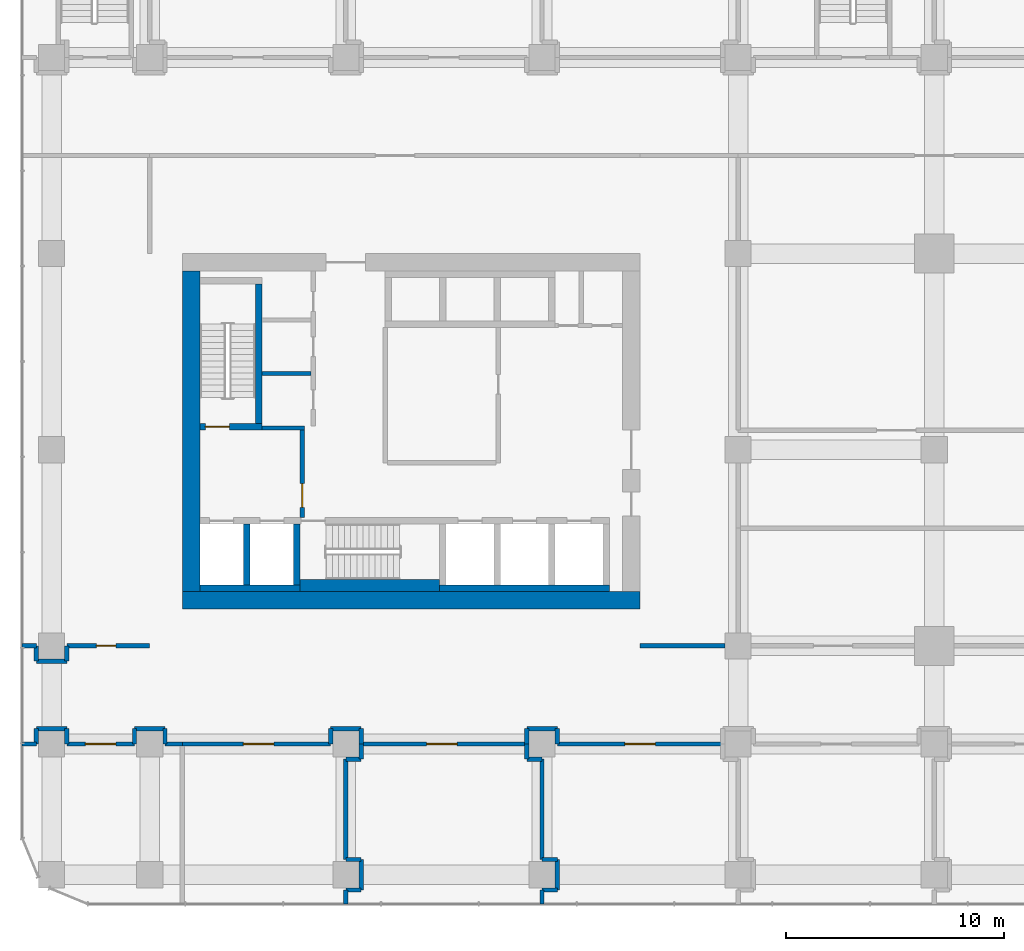
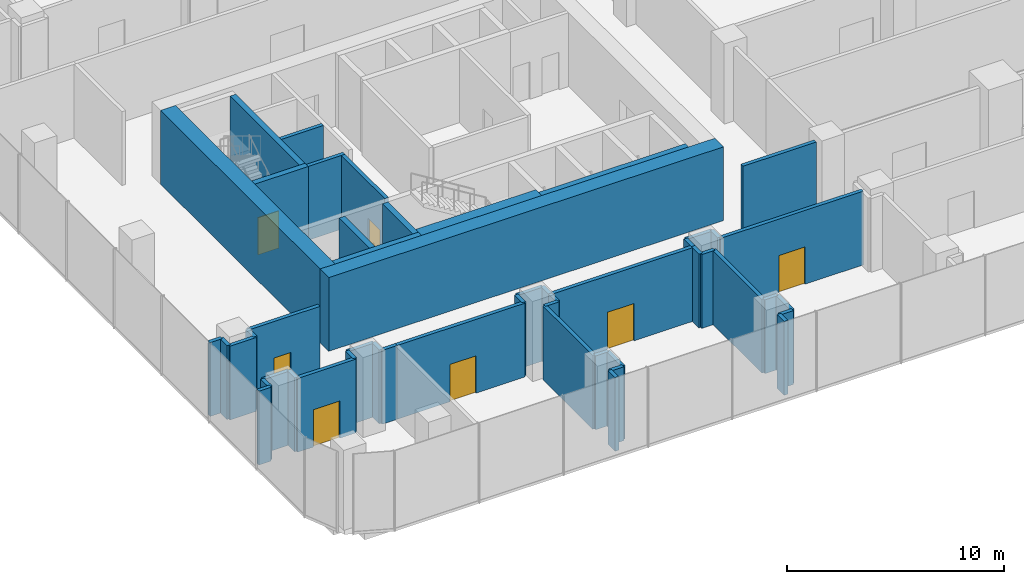
# One storey, part 28 of 43: 50 walls, 7 doors, 7 openings.
"""IFC4 building model written with IfcOpenShell, lengths in metres."""

import ifcopenshell
import ifcopenshell.guid

model = None  # the IFC model being written
_history = None  # IfcOwnerHistory: only IFC2X3 demands one
_inside = {}  # id of a spatial element -> (the spatial element, [elements in it])
_under = {}  # id of a project, library or spatial element -> (it, [spatial elements below it])
_declared = {}  # id of a project -> (the project, [libraries it declares])
_typed = {}  # id of a type object -> (the type object, [elements of that type])
_made_of = {}  # id of a material, layer set ... -> (it, [elements and type objects made of it])


def new_model(schema):
    """Start an empty IFC model of exactly this schema.

    Asked for "IFC4X3", IfcOpenShell would pick the latest addendum, in which some entities
    have other attributes; the version numbers below select the first issue.
    IFC2X3 requires an IfcOwnerHistory on every rooted entity: one is made here for all.
    """
    global model, _history
    if schema == "IFC4X3":
        model = ifcopenshell.file(schema_version=(4, 3, 0, 0))
    else:
        model = ifcopenshell.file(schema=schema)
    _inside.clear()
    _under.clear()
    _declared.clear()
    _typed.clear()
    _made_of.clear()
    _history = None
    if model.schema == "IFC2X3":
        org = make("IfcOrganization", Name="unknown")
        user = make(
            "IfcPersonAndOrganization",
            ThePerson=make("IfcPerson", FamilyName="unknown"),
            TheOrganization=org,
        )
        app = make(
            "IfcApplication",
            ApplicationDeveloper=org,
            Version="unknown",
            ApplicationFullName="unknown",
            ApplicationIdentifier="unknown",
        )
        _history = make(
            "IfcOwnerHistory",
            OwningUser=user,
            OwningApplication=app,
            ChangeAction="ADDED",
            CreationDate=0,
        )
    return model


def make(cls, **values):
    """One entity of the class cls with the attributes given. An attribute that is None is left unset."""
    return model.create_entity(
        cls, **{name: value for name, value in values.items() if value is not None}
    )


def rooted(cls, **values):
    """An entity with a GlobalId (a new one), such as an element, a storey or a relation."""
    return make(cls, GlobalId=ifcopenshell.guid.new(), OwnerHistory=_history, **values)


def si_unit(unit_type, name, prefix=None):
    """IfcSIUnit, for example si_unit("LENGTHUNIT", "METRE", prefix="MILLI")."""
    return make("IfcSIUnit", UnitType=unit_type, Prefix=prefix, Name=name)


def assignment(units):
    """IfcUnitAssignment: the units of a project."""
    return None if units is None else make("IfcUnitAssignment", Units=units)


def point(xyz):
    """IfcCartesianPoint."""
    return None if xyz is None else make("IfcCartesianPoint", Coordinates=xyz)


def direction(xyz):
    """IfcDirection."""
    return None if xyz is None else make("IfcDirection", DirectionRatios=xyz)


def frame(location, z_axis=None, x_axis=None):
    """IfcAxis2Placement3D, a coordinate frame: its origin and axes. An axis left out is left unset."""
    return make(
        "IfcAxis2Placement3D",
        Location=point(location),
        Axis=direction(z_axis),
        RefDirection=direction(x_axis),
    )


def frame_2d(location, x_axis=None):
    """IfcAxis2Placement2D, a coordinate frame in the plane: its origin and x axis."""
    return make(
        "IfcAxis2Placement2D", Location=point(location), RefDirection=direction(x_axis)
    )


def origin():
    """The frame at (0, 0, 0) with its axes left unset."""
    return frame((0.0, 0.0, 0.0))


def place(relative_to, where):
    """IfcLocalPlacement: puts the frame where relative to a parent placement (None: the world)."""
    return make(
        "IfcLocalPlacement", PlacementRelTo=relative_to, RelativePlacement=where
    )


def context(
    kind, dimensions, precision=None, world=None, true_north=None, identifier=None
):
    """IfcGeometricRepresentationContext, for example the 3D "Model" context."""
    return make(
        "IfcGeometricRepresentationContext",
        ContextIdentifier=identifier,
        ContextType=kind,
        CoordinateSpaceDimension=dimensions,
        Precision=precision,
        WorldCoordinateSystem=world,
        TrueNorth=true_north,
    )


def subcontext(parent, identifier, kind, view, scale=None):
    """IfcGeometricRepresentationSubContext, for example "Body" below "Model"."""
    return make(
        "IfcGeometricRepresentationSubContext",
        ContextIdentifier=identifier,
        ContextType=kind,
        ParentContext=parent,
        TargetScale=scale,
        TargetView=view,
    )


def project(units=None, contexts=None):
    """IfcProject with its units and contexts."""
    return rooted(
        "IfcProject",
        Name="project",
        RepresentationContexts=contexts,
        UnitsInContext=assignment(units),
    )


def spatial(cls, under=None, at=None, **own):
    """A site, building, storey or space (cls), placed at a placement, below another one or the project."""
    s = rooted(cls, ObjectPlacement=at, **own)
    if under is not None:
        _under.setdefault(under.id(), (under, []))[1].append(s)
    return s


def profile(cls, at=None, kind="AREA", **sizes):
    """A parametric profile (cls). Its sizes go by their IFC names, for example OverallWidth=200.0."""
    return make(cls, ProfileType=kind, Position=at, **sizes)


def rectangle(**sizes):
    """IfcRectangleProfileDef."""
    return profile("IfcRectangleProfileDef", **sizes)


def extrude(swept, where, along, depth):
    """IfcExtrudedAreaSolid: the profile swept, set in the frame where, extruded along a direction by depth."""
    return make(
        "IfcExtrudedAreaSolid",
        SweptArea=swept,
        Position=where,
        ExtrudedDirection=direction(along),
        Depth=depth,
    )


def shape(context_of_items, identifier, shape_type, items):
    """IfcShapeRepresentation: the items that make up one representation, for example the "Body"."""
    return make(
        "IfcShapeRepresentation",
        ContextOfItems=context_of_items,
        RepresentationIdentifier=identifier,
        RepresentationType=shape_type,
        Items=items,
    )


def material(Name=None, Category=None):
    """IfcMaterial."""
    return make("IfcMaterial", Name=Name, Category=Category)


def layer(
    of_material, thickness, ventilated=None, Name=None, Category=None, Priority=None
):
    """IfcMaterialLayer: one layer of a wall or slab, of a material (None: an air gap)."""
    return make(
        "IfcMaterialLayer",
        Material=of_material,
        LayerThickness=thickness,
        IsVentilated=ventilated,
        Name=Name,
        Category=Category,
        Priority=Priority,
    )


def layer_set(layers, Name=None):
    """IfcMaterialLayerSet."""
    return make("IfcMaterialLayerSet", MaterialLayers=layers, LayerSetName=Name)


def made_of(thing, what):
    """Note that an element or type object is made of a material, layer set ...; save() writes the relation."""
    if what is not None:
        _made_of.setdefault(what.id(), (what, []))[1].append(thing)
    return thing


def type_object(cls, material=None, **own):
    """A type object (cls), such as IfcWallType, which elements share."""
    return made_of(rooted(cls, **own), material)


def element(
    cls,
    number,
    at=None,
    inside=None,
    cuts=None,
    type_object=None,
    material=None,
    context=None,
    identifier="Body",
    shape_type=None,
    held_by="IfcProductDefinitionShape",
    body=None,
    shapes=None,
    **own,
):
    """One element of the class cls, such as IfcWall. Its Tag is "e" and its number.

    at: its placement. inside: the storey or other place that contains it. cuts: it is an
    opening in that element (IfcRelVoidsElement). A single representation is given by context,
    identifier, shape_type and body (its items); several are given by shapes. held_by: the class
    of the entity that holds the representations. save() writes the other relations.
    """
    e = rooted(cls, Tag="e%d" % number, ObjectPlacement=at, **own)
    if body is not None:
        shapes = [shape(context, identifier, shape_type, body)]
    if shapes is not None:
        e.Representation = make(held_by, Representations=shapes)
    if inside is not None:
        _inside.setdefault(inside.id(), (inside, []))[1].append(e)
    if cuts is not None:
        rooted(
            "IfcRelVoidsElement", RelatingBuildingElement=cuts, RelatedOpeningElement=e
        )
    if type_object is not None:
        _typed.setdefault(type_object.id(), (type_object, []))[1].append(e)
    return made_of(e, material)


def fill(opening, filler):
    """IfcRelFillsElement: the door or window that sits in an opening."""
    return rooted(
        "IfcRelFillsElement",
        RelatingOpeningElement=opening,
        RelatedBuildingElement=filler,
    )


def aggregate(whole, parts):
    """IfcRelAggregates: a whole, such as a stair, and the parts it consists of."""
    return rooted("IfcRelAggregates", RelatingObject=whole, RelatedObjects=parts)


def save(model, path):
    """Write the relations noted so far, then the file.

    IfcRelAggregates (storeys below a building ...), IfcRelContainedInSpatialStructure (elements
    in a storey), IfcRelDefinesByType, IfcRelAssociatesMaterial and IfcRelDeclares: one each for
    every whole, place, type object, material and project.
    """
    for whole, parts in _under.values():
        aggregate(whole, parts)
    for where, things in _inside.values():
        rooted(
            "IfcRelContainedInSpatialStructure",
            RelatedElements=things,
            RelatingStructure=where,
        )
    for kind, things in _typed.values():
        rooted("IfcRelDefinesByType", RelatedObjects=things, RelatingType=kind)
    for what, things in _made_of.values():
        rooted("IfcRelAssociatesMaterial", RelatedObjects=things, RelatingMaterial=what)
    for by, libraries in _declared.values():
        rooted("IfcRelDeclares", RelatingContext=by, RelatedDefinitions=libraries)
    model.write(path)


model = new_model("IFC4")

# Units and contexts
model_context = context("Model", 3, precision=1e-05, world=origin(), true_north=direction((0.0, 1.0)))
body_context = subcontext(model_context, "Body", "Model", "MODEL_VIEW")
ifc_project = project(units=[si_unit("LENGTHUNIT", "METRE"), si_unit("AREAUNIT", "SQUARE_METRE"), si_unit("VOLUMEUNIT", "CUBIC_METRE"), si_unit("PLANEANGLEUNIT", "RADIAN"), si_unit("MASSUNIT", "GRAM", prefix="KILO")], contexts=[model_context])

# Site, building, storey
site_placement = place(None, origin())
site = spatial("IfcSite", under=ifc_project, at=site_placement, CompositionType="ELEMENT")
building_placement = place(site_placement, origin())
building = spatial("IfcBuilding", under=site, at=building_placement, Name="Plateau Cross Towers", CompositionType="ELEMENT")
storey_placement = place(building_placement, frame((0.0, 0.0, 17.300048828125)))
storey = spatial("IfcBuildingStorey", under=building, at=storey_placement, Name="L03", CompositionType="ELEMENT", Elevation=17.300048828125)

# Wall, opening, door
ifc_material_1 = material(Name="Concrete block, plastered both sides", Category="concrete")
ifc_layer_1 = layer(ifc_material_1, 0.199951171875)
ifc_layer_set_1 = layer_set([ifc_layer_1], Name="Concrete block, plastered both sides")
wall_type_1 = type_object("IfcWallType", Name="Core partition 200", PredefinedType="PARTITIONING", material=ifc_layer_set_1)
wall_1_placement = place(storey_placement, frame((7.0, 5.89990234375, 0.0), z_axis=(0.0, 0.0, 1.0), x_axis=(0.0, 1.0, 0.0)))
wall_1 = element("IfcWall", 1, at=wall_1_placement, inside=storey, type_object=wall_type_1, Name="Core partition", PredefinedType="PARTITIONING", context=body_context, shape_type="SweptSolid", body=[
    extrude(rectangle(XDim=4.0, YDim=0.199951171875, at=frame_2d((2.0, 0.0))), origin(), (0.0, 0.0, 1.0), 4.14990234375),
])
opening_1_placement = place(wall_1_placement, frame((0.449951171875, 0.0, 0.0)))
opening_1 = element("IfcOpeningElement", 2, at=opening_1_placement, cuts=wall_1, Name="Opening FFD", PredefinedType="OPENING", context=body_context, shape_type="SweptSolid", body=[
    extrude(rectangle(XDim=1.10009765625, YDim=2.10009765625, at=frame_2d((0.550048828125, 1.050048828125))), frame((0.0, 0.10986328125, 0.0), z_axis=(0.0, -1.0, 0.0), x_axis=(1.0, 0.0, 0.0)), (0.0, 0.0, 1.0), 0.219970703125),
])
ifc_material_2 = material(Name="Steel, fire-resisting leaf", Category="steel")
door_type_1 = type_object("IfcDoorType", Name="Firefighting lobby door 1100", OperationType="NOTDEFINED", PredefinedType="DOOR", material=ifc_material_2)
door_1_placement = place(opening_1_placement, origin())
door_1 = element("IfcDoor", 3, at=door_1_placement, inside=storey, type_object=door_type_1, Name="Firefighting lobby door FFD", OperationType="SINGLE_SWING_LEFT", OverallHeight=2.10009765625, OverallWidth=1.10009765625, PredefinedType="DOOR", context=body_context, shape_type="SweptSolid", body=[
    extrude(rectangle(XDim=1.10009765625, YDim=2.10009765625, at=frame_2d((0.550048828125, 1.050048828125))), frame((0.0, 0.02490234375, 0.0), z_axis=(0.0, -1.0, 0.0), x_axis=(1.0, 0.0, 0.0)), (0.0, 0.0, 1.0), 0.050048828125),
])
fill(opening_1, door_1)

# Walls
wall_2_placement = place(storey_placement, frame((5.14990234375, 10.0, 0.0), z_axis=(0.0, 0.0, 1.0), x_axis=(1.0, 0.0, 0.0)))
element("IfcWall", 4, at=wall_2_placement, inside=storey, type_object=wall_type_1, Name="Core partition", PredefinedType="PARTITIONING", context=body_context, shape_type="SweptSolid", body=[
    extrude(rectangle(XDim=1.9501953125, YDim=0.199951171875, at=frame_2d((0.97509765625, 0.0))), origin(), (0.0, 0.0, 1.0), 4.14990234375),
])
wall_3_placement = place(storey_placement, frame((5.14990234375, 12.5, 0.0), z_axis=(0.0, 0.0, 1.0), x_axis=(1.0, 0.0, 0.0)))
element("IfcWall", 5, at=wall_3_placement, inside=storey, type_object=wall_type_1, Name="Core partition", PredefinedType="PARTITIONING", context=body_context, shape_type="SweptSolid", body=[
    extrude(rectangle(XDim=2.25, YDim=0.199951171875, at=frame_2d((1.125, 0.0))), origin(), (0.0, 0.0, 1.0), 4.14990234375),
])
ifc_material_3 = material(Name="Concrete C60/75", Category="concrete")
ifc_layer_2 = layer(ifc_material_3, 0.300048828125)
ifc_layer_set_2 = layer_set([ifc_layer_2], Name="Concrete C60/75")
wall_type_2 = type_object("IfcWallType", Name="Core shaft wall 300", PredefinedType="SHEAR", material=ifc_layer_set_2)
wall_4_placement = place(storey_placement, frame((2.300048828125, 2.64990234375, 0.0), z_axis=(0.0, 0.0, 1.0), x_axis=(1.0, 0.0, 0.0)))
element("IfcWall", 6, at=wall_4_placement, inside=storey, type_object=wall_type_2, Name="A-sb-back1@L03", PredefinedType="SHEAR", context=body_context, shape_type="SweptSolid", body=[
    extrude(rectangle(XDim=4.599853515625, YDim=0.300048828125, at=frame_2d((2.2998046875, 0.0))), origin(), (0.0, 0.0, 1.0), 4.14990234375),
])
wall_5_placement = place(storey_placement, frame((13.300048828125, 2.64990234375, 0.0), z_axis=(0.0, 0.0, 1.0), x_axis=(1.0, 0.0, 0.0)))
element("IfcWall", 7, at=wall_5_placement, inside=storey, type_object=wall_type_2, Name="A-sb-back3@L03", PredefinedType="SHEAR", context=body_context, shape_type="SweptSolid", body=[
    extrude(rectangle(XDim=7.800048828125, YDim=0.300048828125, at=frame_2d((3.89990234375, 0.0))), origin(), (0.0, 0.0, 1.0), 4.14990234375),
])
for number, where, z_axis, x_axis, name in (
    (8, (4.449951171875, 2.800048828125, 0.0), (0.0, 0.0, 1.0), (0.0, 1.0, 0.0), "A-sb-v1@L03"),
    (9, (6.75, 2.800048828125, 0.0), (0.0, 0.0, 1.0), (0.0, 1.0, 0.0), "A-sb-v2@L03"),
):
    element("IfcWall", number, at=place(storey_placement, frame(where, z_axis=z_axis, x_axis=x_axis)), inside=storey, type_object=wall_type_2, Name=name, PredefinedType="SHEAR", context=body_context, shape_type="SweptSolid", body=[
        extrude(rectangle(XDim=2.800048828125, YDim=0.300048828125, at=frame_2d((1.39990234375, 0.0))), origin(), (0.0, 0.0, 1.0), 4.14990234375),
    ])

# Wall, opening, door
wall_6_placement = place(storey_placement, frame((2.300048828125, 10.050048828125, 0.0), z_axis=(0.0, 0.0, 1.0), x_axis=(1.0, 0.0, 0.0)))
wall_6 = element("IfcWall", 10, at=wall_6_placement, inside=storey, type_object=wall_type_2, Name="A-st1-S@L03", PredefinedType="SHEAR", context=body_context, shape_type="SweptSolid", body=[
    extrude(rectangle(XDim=2.849853515625, YDim=0.300048828125, at=frame_2d((1.4248046875, 0.0))), origin(), (0.0, 0.0, 1.0), 4.14990234375),
])
opening_2_placement = place(wall_6_placement, frame((0.25, 0.0, 0.0)))
opening_2 = element("IfcOpeningElement", 11, at=opening_2_placement, cuts=wall_6, Name="Opening SD", PredefinedType="OPENING", context=body_context, shape_type="SweptSolid", body=[
    extrude(rectangle(XDim=1.10009765625, YDim=2.10009765625, at=frame_2d((0.550048828125, 1.050048828125))), frame((0.0, 0.159912109375, 0.0), z_axis=(0.0, -1.0, 0.0), x_axis=(1.0, 0.0, 0.0)), (0.0, 0.0, 1.0), 0.320068359375),
])
door_type_2 = type_object("IfcDoorType", Name="Stair door 1100", OperationType="NOTDEFINED", PredefinedType="DOOR", material=ifc_material_2)
door_2_placement = place(opening_2_placement, origin())
door_2 = element("IfcDoor", 12, at=door_2_placement, inside=storey, type_object=door_type_2, Name="Stair door SD", OperationType="SINGLE_SWING_RIGHT", OverallHeight=2.10009765625, OverallWidth=1.10009765625, PredefinedType="DOOR", context=body_context, shape_type="SweptSolid", body=[
    extrude(rectangle(XDim=1.10009765625, YDim=2.10009765625, at=frame_2d((0.550048828125, 1.050048828125))), frame((0.0, 0.02490234375, 0.0), z_axis=(0.0, -1.0, 0.0), x_axis=(1.0, 0.0, 0.0)), (0.0, 0.0, 1.0), 0.050048828125),
])
fill(opening_2, door_2)

# Walls
wall_7_placement = place(storey_placement, frame((5.0, 10.199951171875, 0.0), z_axis=(0.0, 0.0, 1.0), x_axis=(0.0, 1.0, 0.0)))
element("IfcWall", 13, at=wall_7_placement, inside=storey, type_object=wall_type_2, Name="A-st1-E@L03", PredefinedType="SHEAR", context=body_context, shape_type="SweptSolid", body=[
    extrude(rectangle(XDim=6.400146484375, YDim=0.300048828125, at=frame_2d((3.2001953125, 0.0))), origin(), (0.0, 0.0, 1.0), 4.14990234375),
])
ifc_layer_3 = layer(ifc_material_3, 0.550048828125)
ifc_layer_set_3 = layer_set([ifc_layer_3], Name="Concrete C60/75")
wall_type_3 = type_object("IfcWallType", Name="Core shaft wall 550", PredefinedType="SHEAR", material=ifc_layer_set_3)
wall_8_placement = place(storey_placement, frame((6.89990234375, 2.77490234375, 0.0), z_axis=(0.0, 0.0, 1.0), x_axis=(1.0, 0.0, 0.0)))
element("IfcWall", 14, at=wall_8_placement, inside=storey, type_object=wall_type_3, Name="A-sb-back2@L03", PredefinedType="SHEAR", context=body_context, shape_type="SweptSolid", body=[
    extrude(rectangle(XDim=6.400146484375, YDim=0.550048828125, at=frame_2d((3.2001953125, 0.0))), origin(), (0.0, 0.0, 1.0), 4.14990234375),
])
ifc_layer_4 = layer(ifc_material_3, 0.800048828125)
ifc_layer_set_4 = layer_set([ifc_layer_4], Name="Concrete C60/75")
wall_type_4 = type_object("IfcWallType", Name="Core shell wall 800", PredefinedType="SHEAR", material=ifc_layer_set_4)
wall_9_placement = place(storey_placement, frame((1.5, 2.10009765625, 0.0), z_axis=(0.0, 0.0, 1.0), x_axis=(1.0, 0.0, 0.0)))
element("IfcWall", 15, at=wall_9_placement, inside=storey, type_object=wall_type_4, Name="A-core-S@L03", PredefinedType="SHEAR", context=body_context, shape_type="SweptSolid", body=[
    extrude(rectangle(XDim=21.0, YDim=0.800048828125, at=frame_2d((10.5, 0.0))), origin(), (0.0, 0.0, 1.0), 4.14990234375),
])
wall_10_placement = place(storey_placement, frame((1.89990234375, 2.5, 0.0), z_axis=(0.0, 0.0, 1.0), x_axis=(0.0, 1.0, 0.0)))
element("IfcWall", 16, at=wall_10_placement, inside=storey, type_object=wall_type_4, Name="A-core-W@L03", PredefinedType="SHEAR", context=body_context, shape_type="SweptSolid", body=[
    extrude(rectangle(XDim=14.699951171875, YDim=0.800048828125, at=frame_2d((7.35009765625, 0.0))), origin(), (0.0, 0.0, 1.0), 4.14990234375),
])

# Wall, opening, door
ifc_material_4 = material(Name="Gypsum board on steel studs, two layers each side", Category="steel")
ifc_layer_5 = layer(ifc_material_4, 0.199951171875)
ifc_layer_set_5 = layer_set([ifc_layer_5], Name="Gypsum board on steel studs, two layers each side")
wall_type_5 = type_object("IfcWallType", Name="Podium compartment wall 200", PredefinedType="PARTITIONING", material=ifc_layer_set_5)
wall_11_placement = place(storey_placement, frame((-3.800048828125, 0.0, 0.0), z_axis=(0.0, 0.0, 1.0), x_axis=(1.0, 0.0, 0.0)))
wall_11 = element("IfcWall", 17, at=wall_11_placement, inside=storey, type_object=wall_type_5, Name="Partition wall", PredefinedType="PARTITIONING", context=body_context, shape_type="SweptSolid", body=[
    extrude(rectangle(XDim=3.800048828125, YDim=0.199951171875, at=frame_2d((1.89990234375, 0.0))), origin(), (0.0, 0.0, 1.0), 4.14990234375),
])
opening_3_placement = place(wall_11_placement, frame((1.35009765625, 0.0, 0.0)))
opening_3 = element("IfcOpeningElement", 18, at=opening_3_placement, cuts=wall_11, Name="Opening 03-32", PredefinedType="OPENING", context=body_context, shape_type="SweptSolid", body=[
    extrude(rectangle(XDim=0.89990234375, YDim=2.10009765625, at=frame_2d((0.449951171875, 1.050048828125))), frame((0.0, 0.10986328125, 0.0), z_axis=(0.0, -1.0, 0.0), x_axis=(1.0, 0.0, 0.0)), (0.0, 0.0, 1.0), 0.219970703125),
])
ifc_material_5 = material(Name="Timber, fire-resisting leaf", Category="wood")
door_type_3 = type_object("IfcDoorType", Name="Podium service door 900", OperationType="NOTDEFINED", PredefinedType="DOOR", material=ifc_material_5)
door_3_placement = place(opening_3_placement, origin())
door_3 = element("IfcDoor", 19, at=door_3_placement, inside=storey, type_object=door_type_3, Name="Door 03-32", OperationType="SINGLE_SWING_LEFT", OverallHeight=2.10009765625, OverallWidth=0.89990234375, PredefinedType="DOOR", context=body_context, shape_type="SweptSolid", body=[
    extrude(rectangle(XDim=0.89990234375, YDim=2.10009765625, at=frame_2d((0.449951171875, 1.050048828125))), frame((0.0, 0.02490234375, 0.0), z_axis=(0.0, -1.0, 0.0), x_axis=(1.0, 0.0, 0.0)), (0.0, 0.0, 1.0), 0.050048828125),
])
fill(opening_3, door_3)

ifc_material_6 = material(Name="Gypsum board on steel studs", Category="steel")
ifc_layer_6 = layer(ifc_material_6, 0.199951171875)
ifc_layer_set_6 = layer_set([ifc_layer_6], Name="Gypsum board on steel studs")
wall_type_6 = type_object("IfcWallType", Name="Podium partition 200", PredefinedType="PARTITIONING", material=ifc_layer_set_6)
wall_12_placement = place(storey_placement, frame((26.300048828125, -4.5, 0.0), z_axis=(0.0, 0.0, 1.0), x_axis=(-1.0, 0.0, 0.0)))
wall_12 = element("IfcWall", 20, at=wall_12_placement, inside=storey, type_object=wall_type_6, Name="Partition wall", PredefinedType="PARTITIONING", context=body_context, shape_type="SweptSolid", body=[
    extrude(rectangle(XDim=7.60009765625, YDim=0.199951171875, at=frame_2d((3.800048828125, 0.0))), origin(), (0.0, 0.0, 1.0), 4.14990234375),
])
opening_4_placement = place(wall_12_placement, frame((3.10009765625, 0.0, 0.0)))
opening_4 = element("IfcOpeningElement", 21, at=opening_4_placement, cuts=wall_12, Name="Opening 03-10", PredefinedType="OPENING", context=body_context, shape_type="SweptSolid", body=[
    extrude(rectangle(XDim=1.39990234375, YDim=2.10009765625, at=frame_2d((0.699951171875, 1.050048828125))), frame((0.0, 0.10986328125, 0.0), z_axis=(0.0, -1.0, 0.0), x_axis=(1.0, 0.0, 0.0)), (0.0, 0.0, 1.0), 0.219970703125),
])
ifc_material_7 = material(Name="Timber, hospital grade leaf", Category="wood")
door_type_4 = type_object("IfcDoorType", Name="Clinic bed access door 1400x2100", OperationType="NOTDEFINED", PredefinedType="DOOR", material=ifc_material_7)
door_4_placement = place(opening_4_placement, origin())
door_4 = element("IfcDoor", 22, at=door_4_placement, inside=storey, type_object=door_type_4, Name="Door 03-10", OperationType="SINGLE_SWING_LEFT", OverallHeight=2.10009765625, OverallWidth=1.39990234375, PredefinedType="DOOR", context=body_context, shape_type="SweptSolid", body=[
    extrude(rectangle(XDim=1.39990234375, YDim=2.10009765625, at=frame_2d((0.699951171875, 1.050048828125))), frame((0.0, 0.02490234375, 0.0), z_axis=(0.0, -1.0, 0.0), x_axis=(1.0, 0.0, 0.0)), (0.0, 0.0, 1.0), 0.050048828125),
])
fill(opening_4, door_4)

# Walls
wall_13_placement = place(storey_placement, frame((18.699951171875, -4.5, 0.0), z_axis=(0.0, 0.0, 1.0), x_axis=(0.0, 1.0, 0.0)))
element("IfcWall", 23, at=wall_13_placement, inside=storey, type_object=wall_type_6, Name="Partition wall", PredefinedType="PARTITIONING", context=body_context, shape_type="SweptSolid", body=[
    extrude(rectangle(XDim=0.699951171875, YDim=0.199951171875, at=frame_2d((0.35009765625, 0.0))), origin(), (0.0, 0.0, 1.0), 4.14990234375),
])
wall_14_placement = place(storey_placement, frame((18.699951171875, -3.800048828125, 0.0), z_axis=(0.0, 0.0, 1.0), x_axis=(-1.0, 0.0, 0.0)))
element("IfcWall", 24, at=wall_14_placement, inside=storey, type_object=wall_type_6, Name="Partition wall", PredefinedType="PARTITIONING", context=body_context, shape_type="SweptSolid", body=[
    extrude(rectangle(XDim=1.39990234375, YDim=0.199951171875, at=frame_2d((0.699951171875, 0.0))), origin(), (0.0, 0.0, 1.0), 4.14990234375),
])
for number, where, z_axis, x_axis, name in (
    (25, (17.300048828125, -3.800048828125, 0.0), (0.0, 0.0, 1.0), (0.0, -1.0, 0.0), "Partition wall"),
    (26, (9.699951171875, -4.5, 0.0), (0.0, 0.0, 1.0), (0.0, 1.0, 0.0), "Partition wall"),
):
    element("IfcWall", number, at=place(storey_placement, frame(where, z_axis=z_axis, x_axis=x_axis)), inside=storey, type_object=wall_type_6, Name=name, PredefinedType="PARTITIONING", context=body_context, shape_type="SweptSolid", body=[
        extrude(rectangle(XDim=0.699951171875, YDim=0.199951171875, at=frame_2d((0.35009765625, 0.0))), origin(), (0.0, 0.0, 1.0), 4.14990234375),
    ])
wall_15_placement = place(storey_placement, frame((9.699951171875, -3.800048828125, 0.0), z_axis=(0.0, 0.0, 1.0), x_axis=(-1.0, 0.0, 0.0)))
element("IfcWall", 27, at=wall_15_placement, inside=storey, type_object=wall_type_6, Name="Partition wall", PredefinedType="PARTITIONING", context=body_context, shape_type="SweptSolid", body=[
    extrude(rectangle(XDim=1.39990234375, YDim=0.199951171875, at=frame_2d((0.699951171875, 0.0))), origin(), (0.0, 0.0, 1.0), 4.14990234375),
])
wall_16_placement = place(storey_placement, frame((8.300048828125, -3.800048828125, 0.0), z_axis=(0.0, 0.0, 1.0), x_axis=(0.0, -1.0, 0.0)))
element("IfcWall", 28, at=wall_16_placement, inside=storey, type_object=wall_type_6, Name="Partition wall", PredefinedType="PARTITIONING", context=body_context, shape_type="SweptSolid", body=[
    extrude(rectangle(XDim=0.699951171875, YDim=0.199951171875, at=frame_2d((0.35009765625, 0.0))), origin(), (0.0, 0.0, 1.0), 4.14990234375),
])

# Wall, opening, door
wall_17_placement = place(storey_placement, frame((8.300048828125, -4.5, 0.0), z_axis=(0.0, 0.0, 1.0), x_axis=(-1.0, 0.0, 0.0)))
wall_17 = element("IfcWall", 29, at=wall_17_placement, inside=storey, type_object=wall_type_6, Name="Partition wall", PredefinedType="PARTITIONING", context=body_context, shape_type="SweptSolid", body=[
    extrude(rectangle(XDim=6.800048828125, YDim=0.199951171875, at=frame_2d((3.39990234375, 0.0))), origin(), (0.0, 0.0, 1.0), 4.14990234375),
])
opening_5_placement = place(wall_17_placement, frame((2.60009765625, 0.0, 0.0)))
opening_5 = element("IfcOpeningElement", 30, at=opening_5_placement, cuts=wall_17, Name="Opening 03-08", PredefinedType="OPENING", context=body_context, shape_type="SweptSolid", body=[
    extrude(rectangle(XDim=1.39990234375, YDim=2.10009765625, at=frame_2d((0.699951171875, 1.050048828125))), frame((0.0, 0.10986328125, 0.0), z_axis=(0.0, -1.0, 0.0), x_axis=(1.0, 0.0, 0.0)), (0.0, 0.0, 1.0), 0.219970703125),
])
door_5_placement = place(opening_5_placement, origin())
door_5 = element("IfcDoor", 31, at=door_5_placement, inside=storey, type_object=door_type_4, Name="Door 03-08", OperationType="SINGLE_SWING_LEFT", OverallHeight=2.10009765625, OverallWidth=1.39990234375, PredefinedType="DOOR", context=body_context, shape_type="SweptSolid", body=[
    extrude(rectangle(XDim=1.39990234375, YDim=2.10009765625, at=frame_2d((0.699951171875, 1.050048828125))), frame((0.0, 0.02490234375, 0.0), z_axis=(0.0, -1.0, 0.0), x_axis=(1.0, 0.0, 0.0)), (0.0, 0.0, 1.0), 0.050048828125),
])
fill(opening_5, door_5)

# Walls
for number, where, z_axis, x_axis, name in (
    (32, (17.300048828125, -4.5, 0.0), (0.0, 0.0, 1.0), (0.0, -1.0, 0.0), "Partition wall"),
    (33, (17.300048828125, -5.199951171875, 0.0), (0.0, 0.0, 1.0), (1.0, 0.0, 0.0), "Partition wall"),
):
    element("IfcWall", number, at=place(storey_placement, frame(where, z_axis=z_axis, x_axis=x_axis)), inside=storey, type_object=wall_type_6, Name=name, PredefinedType="PARTITIONING", context=body_context, shape_type="SweptSolid", body=[
        extrude(rectangle(XDim=0.699951171875, YDim=0.199951171875, at=frame_2d((0.35009765625, 0.0))), origin(), (0.0, 0.0, 1.0), 4.14990234375),
    ])
wall_18_placement = place(storey_placement, frame((18.0, -5.199951171875, 0.0), z_axis=(0.0, 0.0, 1.0), x_axis=(0.0, -1.0, 0.0)))
element("IfcWall", 34, at=wall_18_placement, inside=storey, type_object=wall_type_6, Name="Partition wall", PredefinedType="PARTITIONING", context=body_context, shape_type="SweptSolid", body=[
    extrude(rectangle(XDim=4.60009765625, YDim=0.199951171875, at=frame_2d((2.300048828125, 0.0))), origin(), (0.0, 0.0, 1.0), 4.14990234375),
])
wall_19_placement = place(storey_placement, frame((18.0, -9.800048828125, 0.0), z_axis=(0.0, 0.0, 1.0), x_axis=(1.0, 0.0, 0.0)))
element("IfcWall", 35, at=wall_19_placement, inside=storey, type_object=wall_type_6, Name="Partition wall", PredefinedType="PARTITIONING", context=body_context, shape_type="SweptSolid", body=[
    extrude(rectangle(XDim=0.699951171875, YDim=0.199951171875, at=frame_2d((0.35009765625, 0.0))), origin(), (0.0, 0.0, 1.0), 4.14990234375),
])
wall_20_placement = place(storey_placement, frame((18.699951171875, -9.800048828125, 0.0), z_axis=(0.0, 0.0, 1.0), x_axis=(0.0, -1.0, 0.0)))
element("IfcWall", 36, at=wall_20_placement, inside=storey, type_object=wall_type_6, Name="Partition wall", PredefinedType="PARTITIONING", context=body_context, shape_type="SweptSolid", body=[
    extrude(rectangle(XDim=1.39990234375, YDim=0.199951171875, at=frame_2d((0.699951171875, 0.0))), origin(), (0.0, 0.0, 1.0), 4.14990234375),
])
wall_21_placement = place(storey_placement, frame((18.699951171875, -11.199951171875, 0.0), z_axis=(0.0, 0.0, 1.0), x_axis=(-1.0, 0.0, 0.0)))
element("IfcWall", 37, at=wall_21_placement, inside=storey, type_object=wall_type_6, Name="Partition wall", PredefinedType="PARTITIONING", context=body_context, shape_type="SweptSolid", body=[
    extrude(rectangle(XDim=0.699951171875, YDim=0.199951171875, at=frame_2d((0.35009765625, 0.0))), origin(), (0.0, 0.0, 1.0), 4.14990234375),
])
wall_22_placement = place(storey_placement, frame((18.0, -11.199951171875, 0.0), z_axis=(0.0, 0.0, 1.0), x_axis=(0.0, -1.0, 0.0)))
element("IfcWall", 38, at=wall_22_placement, inside=storey, type_object=wall_type_6, Name="Partition wall", PredefinedType="PARTITIONING", context=body_context, shape_type="SweptSolid", body=[
    extrude(rectangle(XDim=0.650146484375, YDim=0.199951171875, at=frame_2d((0.3251953125, 0.0))), origin(), (0.0, 0.0, 1.0), 4.14990234375),
])
for number, where, z_axis, x_axis, name in (
    (39, (9.699951171875, -4.5, 0.0), (0.0, 0.0, 1.0), (0.0, -1.0, 0.0), "Partition wall"),
    (40, (9.699951171875, -5.199951171875, 0.0), (0.0, 0.0, 1.0), (-1.0, 0.0, 0.0), "Partition wall"),
):
    element("IfcWall", number, at=place(storey_placement, frame(where, z_axis=z_axis, x_axis=x_axis)), inside=storey, type_object=wall_type_6, Name=name, PredefinedType="PARTITIONING", context=body_context, shape_type="SweptSolid", body=[
        extrude(rectangle(XDim=0.699951171875, YDim=0.199951171875, at=frame_2d((0.35009765625, 0.0))), origin(), (0.0, 0.0, 1.0), 4.14990234375),
    ])
wall_23_placement = place(storey_placement, frame((9.0, -5.199951171875, 0.0), z_axis=(0.0, 0.0, 1.0), x_axis=(0.0, -1.0, 0.0)))
element("IfcWall", 41, at=wall_23_placement, inside=storey, type_object=wall_type_6, Name="Partition wall", PredefinedType="PARTITIONING", context=body_context, shape_type="SweptSolid", body=[
    extrude(rectangle(XDim=4.60009765625, YDim=0.199951171875, at=frame_2d((2.300048828125, 0.0))), origin(), (0.0, 0.0, 1.0), 4.14990234375),
])
wall_24_placement = place(storey_placement, frame((9.0, -9.800048828125, 0.0), z_axis=(0.0, 0.0, 1.0), x_axis=(1.0, 0.0, 0.0)))
element("IfcWall", 42, at=wall_24_placement, inside=storey, type_object=wall_type_6, Name="Partition wall", PredefinedType="PARTITIONING", context=body_context, shape_type="SweptSolid", body=[
    extrude(rectangle(XDim=0.699951171875, YDim=0.199951171875, at=frame_2d((0.35009765625, 0.0))), origin(), (0.0, 0.0, 1.0), 4.14990234375),
])
wall_25_placement = place(storey_placement, frame((9.699951171875, -9.800048828125, 0.0), z_axis=(0.0, 0.0, 1.0), x_axis=(0.0, -1.0, 0.0)))
element("IfcWall", 43, at=wall_25_placement, inside=storey, type_object=wall_type_6, Name="Partition wall", PredefinedType="PARTITIONING", context=body_context, shape_type="SweptSolid", body=[
    extrude(rectangle(XDim=1.39990234375, YDim=0.199951171875, at=frame_2d((0.699951171875, 0.0))), origin(), (0.0, 0.0, 1.0), 4.14990234375),
])
wall_26_placement = place(storey_placement, frame((9.699951171875, -11.199951171875, 0.0), z_axis=(0.0, 0.0, 1.0), x_axis=(-1.0, 0.0, 0.0)))
element("IfcWall", 44, at=wall_26_placement, inside=storey, type_object=wall_type_6, Name="Partition wall", PredefinedType="PARTITIONING", context=body_context, shape_type="SweptSolid", body=[
    extrude(rectangle(XDim=0.699951171875, YDim=0.199951171875, at=frame_2d((0.35009765625, 0.0))), origin(), (0.0, 0.0, 1.0), 4.14990234375),
])
wall_27_placement = place(storey_placement, frame((9.0, -11.199951171875, 0.0), z_axis=(0.0, 0.0, 1.0), x_axis=(0.0, -1.0, 0.0)))
element("IfcWall", 45, at=wall_27_placement, inside=storey, type_object=wall_type_6, Name="Partition wall", PredefinedType="PARTITIONING", context=body_context, shape_type="SweptSolid", body=[
    extrude(rectangle(XDim=0.650146484375, YDim=0.199951171875, at=frame_2d((0.3251953125, 0.0))), origin(), (0.0, 0.0, 1.0), 4.14990234375),
])

# Wall, opening, door
wall_28_placement = place(storey_placement, frame((17.199951171875, -4.5, 0.0), z_axis=(0.0, 0.0, 1.0), x_axis=(-1.0, 0.0, 0.0)))
wall_28 = element("IfcWall", 46, at=wall_28_placement, inside=storey, type_object=wall_type_6, Name="Partition wall", PredefinedType="PARTITIONING", context=body_context, shape_type="SweptSolid", body=[
    extrude(rectangle(XDim=7.39990234375, YDim=0.199951171875, at=frame_2d((3.699951171875, 0.0))), origin(), (0.0, 0.0, 1.0), 4.14990234375),
])
opening_6_placement = place(wall_28_placement, frame((3.10009765625, 0.0, 0.0)))
opening_6 = element("IfcOpeningElement", 47, at=opening_6_placement, cuts=wall_28, Name="Opening 03-09", PredefinedType="OPENING", context=body_context, shape_type="SweptSolid", body=[
    extrude(rectangle(XDim=1.39990234375, YDim=2.10009765625, at=frame_2d((0.699951171875, 1.050048828125))), frame((0.0, 0.10986328125, 0.0), z_axis=(0.0, -1.0, 0.0), x_axis=(1.0, 0.0, 0.0)), (0.0, 0.0, 1.0), 0.219970703125),
])
door_6_placement = place(opening_6_placement, origin())
door_6 = element("IfcDoor", 48, at=door_6_placement, inside=storey, type_object=door_type_4, Name="Door 03-09", OperationType="SINGLE_SWING_LEFT", OverallHeight=2.10009765625, OverallWidth=1.39990234375, PredefinedType="DOOR", context=body_context, shape_type="SweptSolid", body=[
    extrude(rectangle(XDim=1.39990234375, YDim=2.10009765625, at=frame_2d((0.699951171875, 1.050048828125))), frame((0.0, 0.02490234375, 0.0), z_axis=(0.0, -1.0, 0.0), x_axis=(1.0, 0.0, 0.0)), (0.0, 0.0, 1.0), 0.050048828125),
])
fill(opening_6, door_6)

# Walls
wall_29_placement = place(storey_placement, frame((1.5, -4.5, 0.0), z_axis=(0.0, 0.0, 1.0), x_axis=(-1.0, 0.0, 0.0)))
element("IfcWall", 49, at=wall_29_placement, inside=storey, type_object=wall_type_6, Name="Partition wall", PredefinedType="PARTITIONING", context=body_context, shape_type="SweptSolid", body=[
    extrude(rectangle(XDim=0.800048828125, YDim=0.199951171875, at=frame_2d((0.39990234375, 0.0))), origin(), (0.0, 0.0, 1.0), 4.14990234375),
])
wall_30_placement = place(storey_placement, frame((0.699951171875, -4.5, 0.0), z_axis=(0.0, 0.0, 1.0), x_axis=(0.0, 1.0, 0.0)))
element("IfcWall", 50, at=wall_30_placement, inside=storey, type_object=wall_type_6, Name="Partition wall", PredefinedType="PARTITIONING", context=body_context, shape_type="SweptSolid", body=[
    extrude(rectangle(XDim=0.699951171875, YDim=0.199951171875, at=frame_2d((0.35009765625, 0.0))), origin(), (0.0, 0.0, 1.0), 4.14990234375),
])
wall_31_placement = place(storey_placement, frame((0.699951171875, -3.800048828125, 0.0), z_axis=(0.0, 0.0, 1.0), x_axis=(-1.0, 0.0, 0.0)))
element("IfcWall", 51, at=wall_31_placement, inside=storey, type_object=wall_type_6, Name="Partition wall", PredefinedType="PARTITIONING", context=body_context, shape_type="SweptSolid", body=[
    extrude(rectangle(XDim=1.39990234375, YDim=0.199951171875, at=frame_2d((0.699951171875, 0.0))), origin(), (0.0, 0.0, 1.0), 4.14990234375),
])
wall_32_placement = place(storey_placement, frame((-0.699951171875, -3.800048828125, 0.0), z_axis=(0.0, 0.0, 1.0), x_axis=(0.0, -1.0, 0.0)))
element("IfcWall", 52, at=wall_32_placement, inside=storey, type_object=wall_type_6, Name="Partition wall", PredefinedType="PARTITIONING", context=body_context, shape_type="SweptSolid", body=[
    extrude(rectangle(XDim=0.699951171875, YDim=0.199951171875, at=frame_2d((0.35009765625, 0.0))), origin(), (0.0, 0.0, 1.0), 4.14990234375),
])

# Wall, opening, door
wall_33_placement = place(storey_placement, frame((-0.699951171875, -4.5, 0.0), z_axis=(0.0, 0.0, 1.0), x_axis=(-1.0, 0.0, 0.0)))
wall_33 = element("IfcWall", 53, at=wall_33_placement, inside=storey, type_object=wall_type_6, Name="Partition wall", PredefinedType="PARTITIONING", context=body_context, shape_type="SweptSolid", body=[
    extrude(rectangle(XDim=3.10009765625, YDim=0.199951171875, at=frame_2d((1.550048828125, 0.0))), origin(), (0.0, 0.0, 1.0), 4.14990234375),
])
opening_7_placement = place(wall_33_placement, frame((0.85009765625, 0.0, 0.0)))
opening_7 = element("IfcOpeningElement", 54, at=opening_7_placement, cuts=wall_33, Name="Opening 03-07", PredefinedType="OPENING", context=body_context, shape_type="SweptSolid", body=[
    extrude(rectangle(XDim=1.39990234375, YDim=2.10009765625, at=frame_2d((0.699951171875, 1.050048828125))), frame((0.0, 0.10986328125, 0.0), z_axis=(0.0, -1.0, 0.0), x_axis=(1.0, 0.0, 0.0)), (0.0, 0.0, 1.0), 0.219970703125),
])
door_7_placement = place(opening_7_placement, origin())
door_7 = element("IfcDoor", 55, at=door_7_placement, inside=storey, type_object=door_type_4, Name="Door 03-07", OperationType="SINGLE_SWING_LEFT", OverallHeight=2.10009765625, OverallWidth=1.39990234375, PredefinedType="DOOR", context=body_context, shape_type="SweptSolid", body=[
    extrude(rectangle(XDim=1.39990234375, YDim=2.10009765625, at=frame_2d((0.699951171875, 1.050048828125))), frame((0.0, 0.02490234375, 0.0), z_axis=(0.0, -1.0, 0.0), x_axis=(1.0, 0.0, 0.0)), (0.0, 0.0, 1.0), 0.050048828125),
])
fill(opening_7, door_7)

# Walls
wall_34_placement = place(storey_placement, frame((-3.800048828125, -4.5, 0.0), z_axis=(0.0, 0.0, 1.0), x_axis=(0.0, 1.0, 0.0)))
element("IfcWall", 56, at=wall_34_placement, inside=storey, type_object=wall_type_6, Name="Partition wall", PredefinedType="PARTITIONING", context=body_context, shape_type="SweptSolid", body=[
    extrude(rectangle(XDim=0.699951171875, YDim=0.199951171875, at=frame_2d((0.35009765625, 0.0))), origin(), (0.0, 0.0, 1.0), 4.14990234375),
])
wall_35_placement = place(storey_placement, frame((-5.85009765625, 0.0, 0.0), z_axis=(0.0, 0.0, 1.0), x_axis=(1.0, 0.0, 0.0)))
element("IfcWall", 57, at=wall_35_placement, inside=storey, type_object=wall_type_6, Name="Partition wall", PredefinedType="PARTITIONING", context=body_context, shape_type="SweptSolid", body=[
    extrude(rectangle(XDim=0.650146484375, YDim=0.199951171875, at=frame_2d((0.3251953125, 0.0))), origin(), (0.0, 0.0, 1.0), 4.14990234375),
])
wall_36_placement = place(storey_placement, frame((-5.199951171875, 0.0, 0.0), z_axis=(0.0, 0.0, 1.0), x_axis=(0.0, -1.0, 0.0)))
element("IfcWall", 58, at=wall_36_placement, inside=storey, type_object=wall_type_6, Name="Partition wall", PredefinedType="PARTITIONING", context=body_context, shape_type="SweptSolid", body=[
    extrude(rectangle(XDim=0.699951171875, YDim=0.199951171875, at=frame_2d((0.35009765625, 0.0))), origin(), (0.0, 0.0, 1.0), 4.14990234375),
])
wall_37_placement = place(storey_placement, frame((-5.199951171875, -0.699951171875, 0.0), z_axis=(0.0, 0.0, 1.0), x_axis=(1.0, 0.0, 0.0)))
element("IfcWall", 59, at=wall_37_placement, inside=storey, type_object=wall_type_6, Name="Partition wall", PredefinedType="PARTITIONING", context=body_context, shape_type="SweptSolid", body=[
    extrude(rectangle(XDim=1.39990234375, YDim=0.199951171875, at=frame_2d((0.699951171875, 0.0))), origin(), (0.0, 0.0, 1.0), 4.14990234375),
])
wall_38_placement = place(storey_placement, frame((-3.800048828125, -0.699951171875, 0.0), z_axis=(0.0, 0.0, 1.0), x_axis=(0.0, 1.0, 0.0)))
element("IfcWall", 60, at=wall_38_placement, inside=storey, type_object=wall_type_6, Name="Partition wall", PredefinedType="PARTITIONING", context=body_context, shape_type="SweptSolid", body=[
    extrude(rectangle(XDim=0.699951171875, YDim=0.199951171875, at=frame_2d((0.35009765625, 0.0))), origin(), (0.0, 0.0, 1.0), 4.14990234375),
])
wall_39_placement = place(storey_placement, frame((26.39990234375, 0.0, 0.0), z_axis=(0.0, 0.0, 1.0), x_axis=(-1.0, 0.0, 0.0)))
element("IfcWall", 61, at=wall_39_placement, inside=storey, type_object=wall_type_6, Name="Partition wall", PredefinedType="PARTITIONING", context=body_context, shape_type="SweptSolid", body=[
    extrude(rectangle(XDim=3.89990234375, YDim=0.199951171875, at=frame_2d((1.949951171875, 0.0))), origin(), (0.0, 0.0, 1.0), 4.14990234375),
])
wall_40_placement = place(storey_placement, frame((-3.800048828125, -3.800048828125, 0.0), z_axis=(0.0, 0.0, 1.0), x_axis=(-1.0, 0.0, 0.0)))
element("IfcWall", 62, at=wall_40_placement, inside=storey, type_object=wall_type_6, Name="Partition wall", PredefinedType="PARTITIONING", context=body_context, shape_type="SweptSolid", body=[
    extrude(rectangle(XDim=1.39990234375, YDim=0.199951171875, at=frame_2d((0.699951171875, 0.0))), origin(), (0.0, 0.0, 1.0), 4.14990234375),
])
wall_41_placement = place(storey_placement, frame((-5.199951171875, -3.800048828125, 0.0), z_axis=(0.0, 0.0, 1.0), x_axis=(0.0, -1.0, 0.0)))
element("IfcWall", 63, at=wall_41_placement, inside=storey, type_object=wall_type_6, Name="Partition wall", PredefinedType="PARTITIONING", context=body_context, shape_type="SweptSolid", body=[
    extrude(rectangle(XDim=0.699951171875, YDim=0.199951171875, at=frame_2d((0.35009765625, 0.0))), origin(), (0.0, 0.0, 1.0), 4.14990234375),
])
wall_42_placement = place(storey_placement, frame((-5.199951171875, -4.5, 0.0), z_axis=(0.0, 0.0, 1.0), x_axis=(-1.0, 0.0, 0.0)))
element("IfcWall", 64, at=wall_42_placement, inside=storey, type_object=wall_type_6, Name="Partition wall", PredefinedType="PARTITIONING", context=body_context, shape_type="SweptSolid", body=[
    extrude(rectangle(XDim=0.650146484375, YDim=0.199951171875, at=frame_2d((0.3251953125, 0.0))), origin(), (0.0, 0.0, 1.0), 4.14990234375),
])

save(model, "model.ifc")
